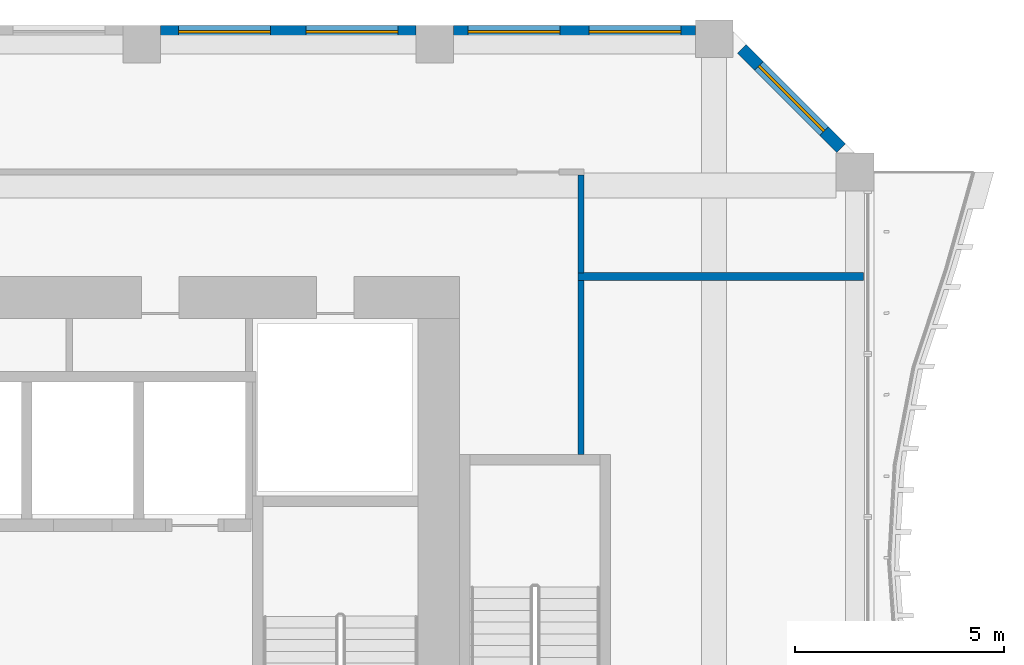
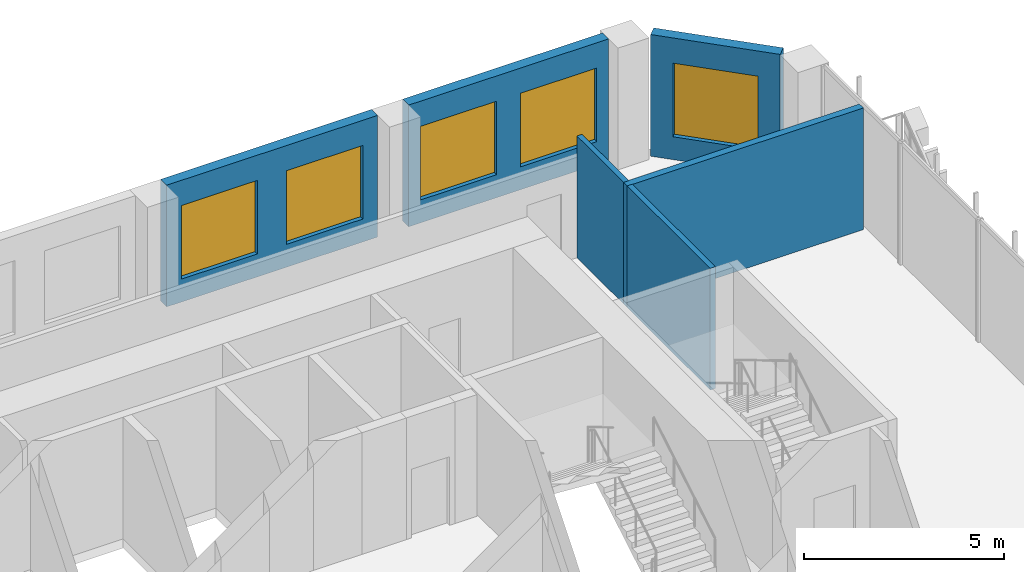
# One storey, part 18 of 27: 6 walls, 5 windows, 5 openings.
"""IFC4 building model written with IfcOpenShell, lengths in metres."""

from ifc_helpers import new_model, si_unit, direction, frame, frame_2d, origin, place, context, subcontext, project, spatial, rectangle, extrude, source, transform, mapped, material, layer, layer_set, type_object, element, fill, save


model = new_model("IFC4")

# Units and contexts
model_context = context("Model", 3, precision=1e-05, world=origin(), true_north=direction((0.0, 1.0)))
body_context = subcontext(model_context, "Body", "Model", "MODEL_VIEW")
ifc_project = project(units=[si_unit("LENGTHUNIT", "METRE"), si_unit("AREAUNIT", "SQUARE_METRE"), si_unit("VOLUMEUNIT", "CUBIC_METRE"), si_unit("PLANEANGLEUNIT", "RADIAN"), si_unit("MASSUNIT", "GRAM", prefix="KILO")], contexts=[model_context])

# Site, building, storey
site_placement = place(None, origin())
site = spatial("IfcSite", under=ifc_project, at=site_placement, CompositionType="ELEMENT")
building_placement = place(site_placement, origin())
building = spatial("IfcBuilding", under=site, at=building_placement, Name="Kilnfold Tower and Market Hall", CompositionType="ELEMENT")
storey_placement = place(building_placement, frame((0.0, 0.0, 51.0)))
storey = spatial("IfcBuildingStorey", under=building, at=storey_placement, Name="L11", CompositionType="ELEMENT", Elevation=51.0)

# Walls
ifc_material_1 = material(Name="Gypsum board on steel studs", Category="steel")
ifc_layer_1 = layer(ifc_material_1, 0.14990234375)
ifc_layer_set_1 = layer_set([ifc_layer_1], Name="Gypsum board on steel studs")
wall_type_1 = type_object("IfcWallType", Name="WALL CORRIDOR 150", PredefinedType="PARTITIONING", material=ifc_layer_set_1)
wall_1_placement = place(storey_placement, frame((21.0, 17.75, 0.0), z_axis=(0.0, 0.0, 1.0), x_axis=(0.0, 1.0, 0.0)))
element("IfcWall", 1, at=wall_1_placement, inside=storey, type_object=wall_type_1, Name="Partition LY10.37", PredefinedType="PARTITIONING", context=body_context, shape_type="SweptSolid", body=[
    extrude(rectangle(XDim=4.159912109375, YDim=0.14990234375, at=frame_2d((2.080078125, 0.0))), origin(), (0.0, 0.0, 1.0), 3.719970703125),
])
wall_2_placement = place(storey_placement, frame((21.0, 22.090087890625, 0.0), z_axis=(0.0, 0.0, 1.0), x_axis=(0.0, 1.0, 0.0)))
element("IfcWall", 2, at=wall_2_placement, inside=storey, type_object=wall_type_1, Name="Partition LY10.39", PredefinedType="PARTITIONING", context=body_context, shape_type="SweptSolid", body=[
    extrude(rectangle(XDim=2.3349609375, YDim=0.14990234375, at=frame_2d((1.16748046875, 0.0))), origin(), (0.0, 0.0, 1.0), 3.719970703125),
])
ifc_material_2 = material(Name="Gypsum board on steel studs", Category="steel")
ifc_layer_2 = layer(ifc_material_2, 0.199951171875)
ifc_layer_set_2 = layer_set([ifc_layer_2], Name="Gypsum board on steel studs")
wall_type_2 = type_object("IfcWallType", Name="WALL PARTY 200", PredefinedType="PARTITIONING", material=ifc_layer_set_2)
wall_3_placement = place(storey_placement, frame((27.75, 22.0, 0.0), z_axis=(0.0, 0.0, 1.0), x_axis=(-1.0, 0.0, 0.0)))
element("IfcWall", 3, at=wall_3_placement, inside=storey, type_object=wall_type_2, Name="Partition LY10.63", PredefinedType="PARTITIONING", context=body_context, shape_type="SweptSolid", body=[
    extrude(rectangle(XDim=6.823974609375, YDim=0.199951171875, at=frame_2d((3.412109375, 0.0))), origin(), (0.0, 0.0, 1.0), 3.719970703125),
])

# Wall, opening, window
ifc_material_3 = material(Name="Precast concrete C50/60", Category="concrete")
ifc_layer_3 = layer(ifc_material_3, 0.300048828125)
ifc_layer_set_3 = layer_set([ifc_layer_3], Name="Precast concrete C50/60")
wall_type_3 = type_object("IfcWallType", Name="PRECAST WALL 300", PredefinedType="SOLIDWALL", material=ifc_layer_set_3)
shared_shape_1 = source(origin(), body_context, "Body", "SweptSolid", [
    extrude(rectangle(XDim=3.35888671875, YDim=0.300048828125, at=frame_2d((1.679443359375, 0.0))), origin(), (0.0, 0.0, 1.0), 3.719970703125),
])
wall_4_placement = place(storey_placement, frame((27.218994140625, 25.06884765625, 0.0), z_axis=(0.0, 0.0, 1.0), x_axis=(-0.707070438228, 0.707143122278, 0.0)))
wall_4 = element("IfcWall", 4, at=wall_4_placement, inside=storey, type_object=wall_type_3, Name="External wall L11 NE", PredefinedType="SOLIDWALL", context=body_context, shape_type="MappedRepresentation", body=[
    mapped(shared_shape_1, transform((0.0, 0.0, 0.0))),
])
opening_1_placement = place(wall_4_placement, frame((0.579345703125, 0.0, 0.699951171875)))
opening_1 = element("IfcOpeningElement", 5, at=opening_1_placement, cuts=wall_4, Name="Opening W1", PredefinedType="OPENING", context=body_context, shape_type="SweptSolid", body=[
    extrude(rectangle(XDim=2.199951171875, YDim=2.25, at=frame_2d((1.10009765625, 1.125))), frame((0.0, 0.16015625, 0.0), z_axis=(0.0, -1.0, 0.0), x_axis=(1.0, 0.0, 0.0)), (0.0, 0.0, 1.0), 0.320068359375),
])
ifc_material_4 = material(Name="Aluminium frame and double glazing", Category="aluminium")
window_type = type_object("IfcWindowType", Name="WINDOW W1 2200X2250", PartitioningType="SINGLE_PANEL", PredefinedType="WINDOW", material=ifc_material_4)
window_1_placement = place(opening_1_placement, origin())
window_1 = element("IfcWindow", 6, at=window_1_placement, inside=storey, type_object=window_type, Name="Window W1 L11 NE-1", OverallHeight=2.25, OverallWidth=2.199951171875, PartitioningType="SINGLE_PANEL", PredefinedType="WINDOW", context=body_context, shape_type="SweptSolid", body=[
    extrude(rectangle(XDim=2.199951171875, YDim=2.25, at=frame_2d((1.10009765625, 1.125))), frame((0.0, 0.030029296875, 0.0), z_axis=(0.0, -1.0, 0.0), x_axis=(1.0, 0.0, 0.0)), (0.0, 0.0, 1.0), 0.06005859375),
])
fill(opening_1, window_1)

# Wall, openings, windows
shared_shape_2 = source(origin(), body_context, "Body", "SweptSolid", [
    extrude(rectangle(XDim=5.78173828125, YDim=0.300048828125, at=frame_2d((2.890869140625, 0.0))), origin(), (0.0, 0.0, 1.0), 3.719970703125),
])
wall_5_placement = place(storey_placement, frame((23.731689453125, 27.85009765625, 0.0), z_axis=(0.0, 0.0, 1.0), x_axis=(-1.0, 0.0, 0.0)))
wall_5 = element("IfcWall", 7, at=wall_5_placement, inside=storey, type_object=wall_type_3, Name="External wall L11 N", PredefinedType="SOLIDWALL", context=body_context, shape_type="MappedRepresentation", body=[
    mapped(shared_shape_2, transform((0.0, 0.0, 0.0))),
])
opening_2_placement = place(wall_5_placement, frame((0.345458984375, 0.0, 0.699951171875)))
opening_2 = element("IfcOpeningElement", 8, at=opening_2_placement, cuts=wall_5, Name="Opening W1", PredefinedType="OPENING", context=body_context, shape_type="SweptSolid", body=[
    extrude(rectangle(XDim=2.199951171875, YDim=2.25, at=frame_2d((1.10009765625, 1.125))), frame((0.0, 0.16015625, 0.0), z_axis=(0.0, -1.0, 0.0), x_axis=(1.0, 0.0, 0.0)), (0.0, 0.0, 1.0), 0.320068359375),
])
opening_3_placement = place(wall_5_placement, frame((3.236328125, 0.0, 0.699951171875)))
opening_3 = element("IfcOpeningElement", 9, at=opening_3_placement, cuts=wall_5, Name="Opening W1", PredefinedType="OPENING", context=body_context, shape_type="SweptSolid", body=[
    extrude(rectangle(XDim=2.199951171875, YDim=2.25, at=frame_2d((1.10009765625, 1.125))), frame((0.0, 0.16015625, 0.0), z_axis=(0.0, -1.0, 0.0), x_axis=(1.0, 0.0, 0.0)), (0.0, 0.0, 1.0), 0.320068359375),
])
window_2_placement = place(opening_2_placement, origin())
window_2 = element("IfcWindow", 10, at=window_2_placement, inside=storey, type_object=window_type, Name="Window W1 L11 N-1", OverallHeight=2.25, OverallWidth=2.199951171875, PartitioningType="SINGLE_PANEL", PredefinedType="WINDOW", context=body_context, shape_type="SweptSolid", body=[
    extrude(rectangle(XDim=2.199951171875, YDim=2.25, at=frame_2d((1.10009765625, 1.125))), frame((0.0, 0.030029296875, 0.0), z_axis=(0.0, -1.0, 0.0), x_axis=(1.0, 0.0, 0.0)), (0.0, 0.0, 1.0), 0.06005859375),
])
fill(opening_2, window_2)
window_3_placement = place(opening_3_placement, origin())
window_3 = element("IfcWindow", 11, at=window_3_placement, inside=storey, type_object=window_type, Name="Window W1 L11 N-2", OverallHeight=2.25, OverallWidth=2.199951171875, PartitioningType="SINGLE_PANEL", PredefinedType="WINDOW", context=body_context, shape_type="SweptSolid", body=[
    extrude(rectangle(XDim=2.199951171875, YDim=2.25, at=frame_2d((1.10009765625, 1.125))), frame((0.0, 0.030029296875, 0.0), z_axis=(0.0, -1.0, 0.0), x_axis=(1.0, 0.0, 0.0)), (0.0, 0.0, 1.0), 0.06005859375),
])
fill(opening_3, window_3)

shared_shape_3 = source(origin(), body_context, "Body", "SweptSolid", [
    extrude(rectangle(XDim=6.10009765625, YDim=0.300048828125, at=frame_2d((3.050048828125, 0.0))), origin(), (0.0, 0.0, 1.0), 3.719970703125),
])
wall_6_placement = place(storey_placement, frame((17.050048828125, 27.85009765625, 0.0), z_axis=(0.0, 0.0, 1.0), x_axis=(-1.0, 0.0, 0.0)))
wall_6 = element("IfcWall", 12, at=wall_6_placement, inside=storey, type_object=wall_type_3, Name="External wall L11 N", PredefinedType="SOLIDWALL", context=body_context, shape_type="MappedRepresentation", body=[
    mapped(shared_shape_3, transform((0.0, 0.0, 0.0))),
])
opening_4_placement = place(wall_6_placement, frame((0.425048828125, 0.0, 0.699951171875)))
opening_4 = element("IfcOpeningElement", 13, at=opening_4_placement, cuts=wall_6, Name="Opening W1", PredefinedType="OPENING", context=body_context, shape_type="SweptSolid", body=[
    extrude(rectangle(XDim=2.199951171875, YDim=2.25, at=frame_2d((1.10009765625, 1.125))), frame((0.0, 0.16015625, 0.0), z_axis=(0.0, -1.0, 0.0), x_axis=(1.0, 0.0, 0.0)), (0.0, 0.0, 1.0), 0.320068359375),
])
opening_5_placement = place(wall_6_placement, frame((3.47509765625, 0.0, 0.699951171875)))
opening_5 = element("IfcOpeningElement", 14, at=opening_5_placement, cuts=wall_6, Name="Opening W1", PredefinedType="OPENING", context=body_context, shape_type="SweptSolid", body=[
    extrude(rectangle(XDim=2.199951171875, YDim=2.25, at=frame_2d((1.10009765625, 1.125))), frame((0.0, 0.16015625, 0.0), z_axis=(0.0, -1.0, 0.0), x_axis=(1.0, 0.0, 0.0)), (0.0, 0.0, 1.0), 0.320068359375),
])
window_4_placement = place(opening_4_placement, origin())
window_4 = element("IfcWindow", 15, at=window_4_placement, inside=storey, type_object=window_type, Name="Window W1 L11 N-1", OverallHeight=2.25, OverallWidth=2.199951171875, PartitioningType="SINGLE_PANEL", PredefinedType="WINDOW", context=body_context, shape_type="SweptSolid", body=[
    extrude(rectangle(XDim=2.199951171875, YDim=2.25, at=frame_2d((1.10009765625, 1.125))), frame((0.0, 0.030029296875, 0.0), z_axis=(0.0, -1.0, 0.0), x_axis=(1.0, 0.0, 0.0)), (0.0, 0.0, 1.0), 0.06005859375),
])
fill(opening_4, window_4)
window_5_placement = place(opening_5_placement, origin())
window_5 = element("IfcWindow", 16, at=window_5_placement, inside=storey, type_object=window_type, Name="Window W1 L11 N-2", OverallHeight=2.25, OverallWidth=2.199951171875, PartitioningType="SINGLE_PANEL", PredefinedType="WINDOW", context=body_context, shape_type="SweptSolid", body=[
    extrude(rectangle(XDim=2.199951171875, YDim=2.25, at=frame_2d((1.10009765625, 1.125))), frame((0.0, 0.030029296875, 0.0), z_axis=(0.0, -1.0, 0.0), x_axis=(1.0, 0.0, 0.0)), (0.0, 0.0, 1.0), 0.06005859375),
])
fill(opening_5, window_5)

save(model, "model.ifc")
